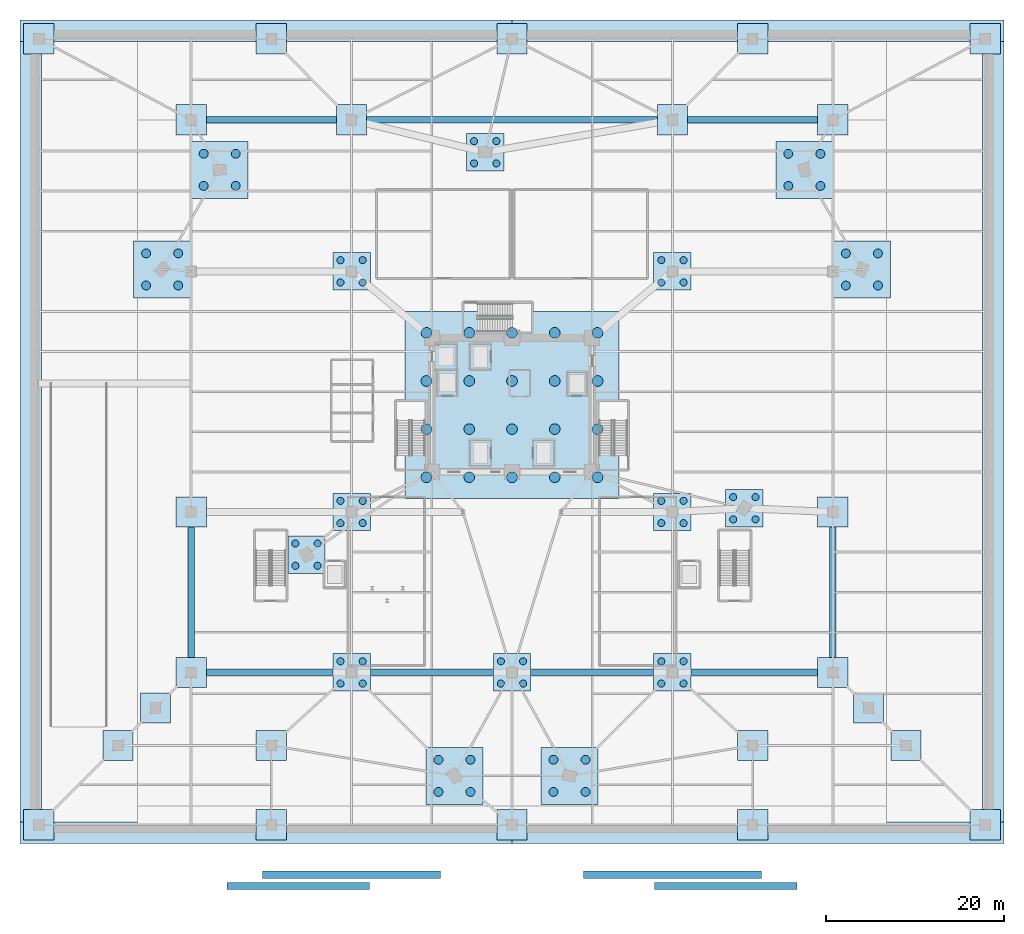
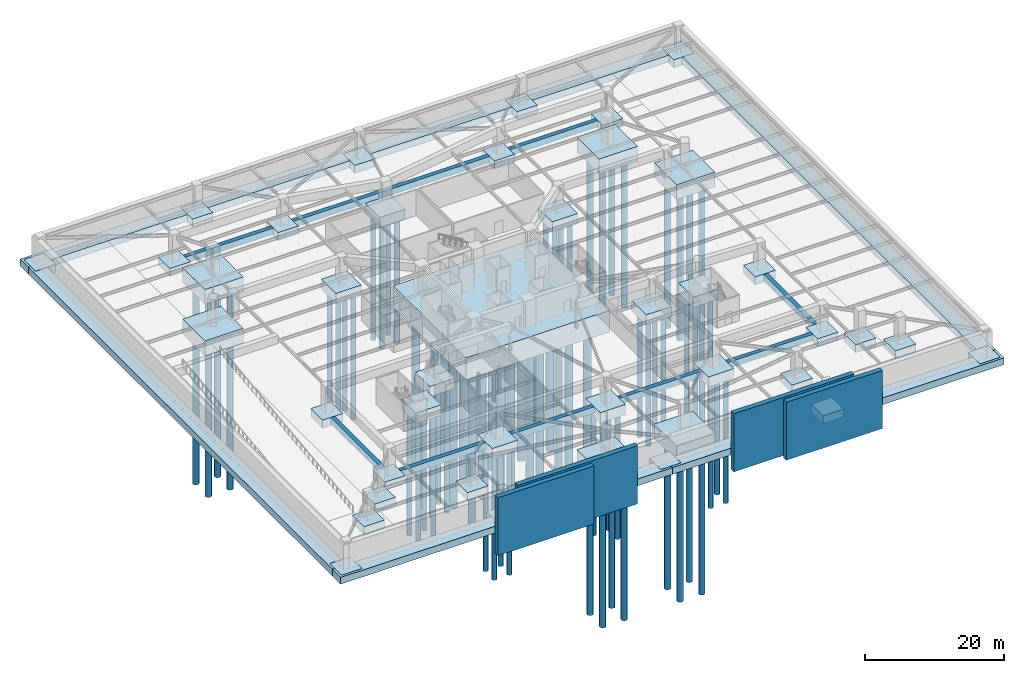
# One storey, part 1 of 19: 84 piles, 60 footings.
"""IFC4 building model written with IfcOpenShell, lengths in metres."""

import ifcopenshell
import ifcopenshell.guid

model = None  # the IFC model being written
_history = None  # IfcOwnerHistory: only IFC2X3 demands one
_inside = {}  # id of a spatial element -> (the spatial element, [elements in it])
_under = {}  # id of a project, library or spatial element -> (it, [spatial elements below it])
_declared = {}  # id of a project -> (the project, [libraries it declares])
_typed = {}  # id of a type object -> (the type object, [elements of that type])
_made_of = {}  # id of a material, layer set ... -> (it, [elements and type objects made of it])


def new_model(schema):
    """Start an empty IFC model of exactly this schema.

    Asked for "IFC4X3", IfcOpenShell would pick the latest addendum, in which some entities
    have other attributes; the version numbers below select the first issue.
    IFC2X3 requires an IfcOwnerHistory on every rooted entity: one is made here for all.
    """
    global model, _history
    if schema == "IFC4X3":
        model = ifcopenshell.file(schema_version=(4, 3, 0, 0))
    else:
        model = ifcopenshell.file(schema=schema)
    _inside.clear()
    _under.clear()
    _declared.clear()
    _typed.clear()
    _made_of.clear()
    _history = None
    if model.schema == "IFC2X3":
        org = make("IfcOrganization", Name="unknown")
        user = make(
            "IfcPersonAndOrganization",
            ThePerson=make("IfcPerson", FamilyName="unknown"),
            TheOrganization=org,
        )
        app = make(
            "IfcApplication",
            ApplicationDeveloper=org,
            Version="unknown",
            ApplicationFullName="unknown",
            ApplicationIdentifier="unknown",
        )
        _history = make(
            "IfcOwnerHistory",
            OwningUser=user,
            OwningApplication=app,
            ChangeAction="ADDED",
            CreationDate=0,
        )
    return model


def make(cls, **values):
    """One entity of the class cls with the attributes given. An attribute that is None is left unset."""
    return model.create_entity(
        cls, **{name: value for name, value in values.items() if value is not None}
    )


def rooted(cls, **values):
    """An entity with a GlobalId (a new one), such as an element, a storey or a relation."""
    return make(cls, GlobalId=ifcopenshell.guid.new(), OwnerHistory=_history, **values)


def si_unit(unit_type, name, prefix=None):
    """IfcSIUnit, for example si_unit("LENGTHUNIT", "METRE", prefix="MILLI")."""
    return make("IfcSIUnit", UnitType=unit_type, Prefix=prefix, Name=name)


def assignment(units):
    """IfcUnitAssignment: the units of a project."""
    return None if units is None else make("IfcUnitAssignment", Units=units)


def point(xyz):
    """IfcCartesianPoint."""
    return None if xyz is None else make("IfcCartesianPoint", Coordinates=xyz)


def direction(xyz):
    """IfcDirection."""
    return None if xyz is None else make("IfcDirection", DirectionRatios=xyz)


def frame(location, z_axis=None, x_axis=None):
    """IfcAxis2Placement3D, a coordinate frame: its origin and axes. An axis left out is left unset."""
    return make(
        "IfcAxis2Placement3D",
        Location=point(location),
        Axis=direction(z_axis),
        RefDirection=direction(x_axis),
    )


def frame_2d(location, x_axis=None):
    """IfcAxis2Placement2D, a coordinate frame in the plane: its origin and x axis."""
    return make(
        "IfcAxis2Placement2D", Location=point(location), RefDirection=direction(x_axis)
    )


def origin():
    """The frame at (0, 0, 0) with its axes left unset."""
    return frame((0.0, 0.0, 0.0))


def origin_2d():
    """The frame at (0, 0) in the plane with its x axis left unset."""
    return frame_2d((0.0, 0.0))


def place(relative_to, where):
    """IfcLocalPlacement: puts the frame where relative to a parent placement (None: the world)."""
    return make(
        "IfcLocalPlacement", PlacementRelTo=relative_to, RelativePlacement=where
    )


def context(
    kind, dimensions, precision=None, world=None, true_north=None, identifier=None
):
    """IfcGeometricRepresentationContext, for example the 3D "Model" context."""
    return make(
        "IfcGeometricRepresentationContext",
        ContextIdentifier=identifier,
        ContextType=kind,
        CoordinateSpaceDimension=dimensions,
        Precision=precision,
        WorldCoordinateSystem=world,
        TrueNorth=true_north,
    )


def subcontext(parent, identifier, kind, view, scale=None):
    """IfcGeometricRepresentationSubContext, for example "Body" below "Model"."""
    return make(
        "IfcGeometricRepresentationSubContext",
        ContextIdentifier=identifier,
        ContextType=kind,
        ParentContext=parent,
        TargetScale=scale,
        TargetView=view,
    )


def project(units=None, contexts=None):
    """IfcProject with its units and contexts."""
    return rooted(
        "IfcProject",
        Name="project",
        RepresentationContexts=contexts,
        UnitsInContext=assignment(units),
    )


def spatial(cls, under=None, at=None, **own):
    """A site, building, storey or space (cls), placed at a placement, below another one or the project."""
    s = rooted(cls, ObjectPlacement=at, **own)
    if under is not None:
        _under.setdefault(under.id(), (under, []))[1].append(s)
    return s


def polyline(points):
    """IfcPolyline through the points."""
    return make("IfcPolyline", Points=[point(p) for p in points])


def profile(cls, at=None, kind="AREA", **sizes):
    """A parametric profile (cls). Its sizes go by their IFC names, for example OverallWidth=200.0."""
    return make(cls, ProfileType=kind, Position=at, **sizes)


def rectangle(**sizes):
    """IfcRectangleProfileDef."""
    return profile("IfcRectangleProfileDef", **sizes)


def circle(**sizes):
    """IfcCircleProfileDef."""
    return profile("IfcCircleProfileDef", **sizes)


def outline(outer, holes=None, kind="AREA"):
    """IfcArbitraryClosedProfileDef: a profile drawn as a closed curve; with holes, ...WithVoids."""
    if holes is None:
        return make("IfcArbitraryClosedProfileDef", ProfileType=kind, OuterCurve=outer)
    return make(
        "IfcArbitraryProfileDefWithVoids",
        ProfileType=kind,
        OuterCurve=outer,
        InnerCurves=holes,
    )


def extrude(swept, where, along, depth):
    """IfcExtrudedAreaSolid: the profile swept, set in the frame where, extruded along a direction by depth."""
    return make(
        "IfcExtrudedAreaSolid",
        SweptArea=swept,
        Position=where,
        ExtrudedDirection=direction(along),
        Depth=depth,
    )


def shape(context_of_items, identifier, shape_type, items):
    """IfcShapeRepresentation: the items that make up one representation, for example the "Body"."""
    return make(
        "IfcShapeRepresentation",
        ContextOfItems=context_of_items,
        RepresentationIdentifier=identifier,
        RepresentationType=shape_type,
        Items=items,
    )


def source(mapping_origin, context_of_items, identifier, shape_type, items):
    """IfcRepresentationMap: a shape defined once, which mapped items show again and again."""
    return make(
        "IfcRepresentationMap",
        MappingOrigin=mapping_origin,
        MappedRepresentation=shape(context_of_items, identifier, shape_type, items),
    )


def transform(
    local_origin,
    x_axis=None,
    y_axis=None,
    z_axis=None,
    scale=None,
    scale2=None,
    scale3=None,
    uniform=True,
):
    """IfcCartesianTransformationOperator3D, or its non-uniform kind. x_axis, y_axis, z_axis: its Axis1, 2, 3."""
    if uniform:
        return make(
            "IfcCartesianTransformationOperator3D",
            Axis1=direction(x_axis),
            Axis2=direction(y_axis),
            LocalOrigin=point(local_origin),
            Scale=scale,
            Axis3=direction(z_axis),
        )
    return make(
        "IfcCartesianTransformationOperator3DnonUniform",
        Axis1=direction(x_axis),
        Axis2=direction(y_axis),
        LocalOrigin=point(local_origin),
        Scale=scale,
        Axis3=direction(z_axis),
        Scale2=scale2,
        Scale3=scale3,
    )


def mapped(mapping_source, mapping_target):
    """IfcMappedItem: shows the shape of a source again, moved by a transform."""
    return make(
        "IfcMappedItem", MappingSource=mapping_source, MappingTarget=mapping_target
    )


def material(Name=None, Category=None):
    """IfcMaterial."""
    return make("IfcMaterial", Name=Name, Category=Category)


def material_profile(
    of_material, cross_section, Name=None, Category=None, Priority=None
):
    """IfcMaterialProfile: a cross section and its material."""
    return make(
        "IfcMaterialProfile",
        Name=Name,
        Material=of_material,
        Profile=cross_section,
        Priority=Priority,
        Category=Category,
    )


def profile_set(profiles, Name=None, composite=None):
    """IfcMaterialProfileSet."""
    return make(
        "IfcMaterialProfileSet",
        Name=Name,
        MaterialProfiles=profiles,
        CompositeProfile=composite,
    )


def made_of(thing, what):
    """Note that an element or type object is made of a material, layer set ...; save() writes the relation."""
    if what is not None:
        _made_of.setdefault(what.id(), (what, []))[1].append(thing)
    return thing


def type_object(cls, material=None, **own):
    """A type object (cls), such as IfcWallType, which elements share."""
    return made_of(rooted(cls, **own), material)


def element(
    cls,
    number,
    at=None,
    inside=None,
    cuts=None,
    type_object=None,
    material=None,
    context=None,
    identifier="Body",
    shape_type=None,
    held_by="IfcProductDefinitionShape",
    body=None,
    shapes=None,
    **own,
):
    """One element of the class cls, such as IfcWall. Its Tag is "e" and its number.

    at: its placement. inside: the storey or other place that contains it. cuts: it is an
    opening in that element (IfcRelVoidsElement). A single representation is given by context,
    identifier, shape_type and body (its items); several are given by shapes. held_by: the class
    of the entity that holds the representations. save() writes the other relations.
    """
    e = rooted(cls, Tag="e%d" % number, ObjectPlacement=at, **own)
    if body is not None:
        shapes = [shape(context, identifier, shape_type, body)]
    if shapes is not None:
        e.Representation = make(held_by, Representations=shapes)
    if inside is not None:
        _inside.setdefault(inside.id(), (inside, []))[1].append(e)
    if cuts is not None:
        rooted(
            "IfcRelVoidsElement", RelatingBuildingElement=cuts, RelatedOpeningElement=e
        )
    if type_object is not None:
        _typed.setdefault(type_object.id(), (type_object, []))[1].append(e)
    return made_of(e, material)


def aggregate(whole, parts):
    """IfcRelAggregates: a whole, such as a stair, and the parts it consists of."""
    return rooted("IfcRelAggregates", RelatingObject=whole, RelatedObjects=parts)


def save(model, path):
    """Write the relations noted so far, then the file.

    IfcRelAggregates (storeys below a building ...), IfcRelContainedInSpatialStructure (elements
    in a storey), IfcRelDefinesByType, IfcRelAssociatesMaterial and IfcRelDeclares: one each for
    every whole, place, type object, material and project.
    """
    for whole, parts in _under.values():
        aggregate(whole, parts)
    for where, things in _inside.values():
        rooted(
            "IfcRelContainedInSpatialStructure",
            RelatedElements=things,
            RelatingStructure=where,
        )
    for kind, things in _typed.values():
        rooted("IfcRelDefinesByType", RelatedObjects=things, RelatingType=kind)
    for what, things in _made_of.values():
        rooted("IfcRelAssociatesMaterial", RelatedObjects=things, RelatingMaterial=what)
    for by, libraries in _declared.values():
        rooted("IfcRelDeclares", RelatingContext=by, RelatedDefinitions=libraries)
    model.write(path)


model = new_model("IFC4")

# Units and contexts
model_context = context("Model", 3, precision=1e-05, world=origin(), true_north=direction((0.0, 1.0)))
body_context = subcontext(model_context, "Body", "Model", "MODEL_VIEW")
ifc_project = project(units=[si_unit("LENGTHUNIT", "METRE"), si_unit("AREAUNIT", "SQUARE_METRE"), si_unit("VOLUMEUNIT", "CUBIC_METRE"), si_unit("PLANEANGLEUNIT", "RADIAN"), si_unit("MASSUNIT", "GRAM", prefix="KILO")], contexts=[model_context])

# Site, building, storey
site_placement = place(None, origin())
site = spatial("IfcSite", under=ifc_project, at=site_placement, CompositionType="ELEMENT")
building_placement = place(site_placement, origin())
building = spatial("IfcBuilding", under=site, at=building_placement, Name="Liaohun Quay Tower", CompositionType="ELEMENT")
storey_placement = place(building_placement, frame((0.0, 0.0, -9.60009765625)))
storey = spatial("IfcBuildingStorey", under=building, at=storey_placement, Name="B2", CompositionType="ELEMENT", Elevation=-9.60009765625)

# Footings
ifc_material_1 = material(Name="Concrete C45", Category="concrete")
footing_type_1 = type_object("IfcFootingType", Name="FTG-GRD-BEAM", PredefinedType="FOOTING_BEAM", material=ifc_material_1)
footing_1_placement = place(storey_placement, frame((0.0, 0.0, -1.099853515625)))
element("IfcFooting", 1, at=footing_1_placement, inside=storey, type_object=footing_type_1, Name="Foundation Ground Tie Beam FB-01", PredefinedType="FOOTING_BEAM", context=body_context, shape_type="SweptSolid", body=[
    extrude(outline(polyline([(25.699951171875, 23.64990234375), (39.89990234375, 23.64990234375), (39.89990234375, 24.35009765625), (25.699951171875, 24.35009765625), (25.699951171875, 23.64990234375)])), origin(), (0.0, 0.0, 1.0), 1.099853515625),
])
footing_2_placement = place(storey_placement, frame((0.0, 0.0, -1.099853515625)))
element("IfcFooting", 2, at=footing_2_placement, inside=storey, type_object=footing_type_1, Name="Foundation Ground Tie Beam FB-02", PredefinedType="FOOTING_BEAM", context=body_context, shape_type="SweptSolid", body=[
    extrude(outline(polyline([(44.10009765625, 23.64990234375), (57.89990234375, 23.64990234375), (57.89990234375, 24.35009765625), (44.10009765625, 24.35009765625), (44.10009765625, 23.64990234375)])), origin(), (0.0, 0.0, 1.0), 1.099853515625),
])
footing_3_placement = place(storey_placement, frame((0.0, 0.0, -1.099853515625)))
element("IfcFooting", 3, at=footing_3_placement, inside=storey, type_object=footing_type_1, Name="Foundation Ground Tie Beam FB-03", PredefinedType="FOOTING_BEAM", context=body_context, shape_type="SweptSolid", body=[
    extrude(outline(polyline([(62.10009765625, 23.64990234375), (75.89990234375, 23.64990234375), (75.89990234375, 24.35009765625), (62.10009765625, 24.35009765625), (62.10009765625, 23.64990234375)])), origin(), (0.0, 0.0, 1.0), 1.099853515625),
])
footing_4_placement = place(storey_placement, frame((0.0, 0.0, -1.099853515625)))
element("IfcFooting", 4, at=footing_4_placement, inside=storey, type_object=footing_type_1, Name="Foundation Ground Tie Beam FB-04", PredefinedType="FOOTING_BEAM", context=body_context, shape_type="SweptSolid", body=[
    extrude(outline(polyline([(80.10009765625, 23.64990234375), (94.300048828125, 23.64990234375), (94.300048828125, 24.35009765625), (80.10009765625, 24.35009765625), (80.10009765625, 23.64990234375)])), origin(), (0.0, 0.0, 1.0), 1.099853515625),
])
footing_5_placement = place(storey_placement, frame((0.0, 0.0, -1.099853515625)))
element("IfcFooting", 5, at=footing_5_placement, inside=storey, type_object=footing_type_1, Name="Foundation Ground Tie Beam FB-05", PredefinedType="FOOTING_BEAM", context=body_context, shape_type="SweptSolid", body=[
    extrude(outline(polyline([(25.699951171875, 85.64990234375), (40.300048828125, 85.64990234375), (40.300048828125, 86.35009765625), (25.699951171875, 86.35009765625), (25.699951171875, 85.64990234375)])), origin(), (0.0, 0.0, 1.0), 1.099853515625),
])
footing_6_placement = place(storey_placement, frame((0.0, 0.0, -1.099853515625)))
element("IfcFooting", 6, at=footing_6_placement, inside=storey, type_object=footing_type_1, Name="Foundation Ground Tie Beam FB-06", PredefinedType="FOOTING_BEAM", context=body_context, shape_type="SweptSolid", body=[
    extrude(outline(polyline([(43.699951171875, 85.64990234375), (76.300048828125, 85.64990234375), (76.300048828125, 86.35009765625), (43.699951171875, 86.35009765625), (43.699951171875, 85.64990234375)])), origin(), (0.0, 0.0, 1.0), 1.099853515625),
])
footing_7_placement = place(storey_placement, frame((0.0, 0.0, -1.099853515625)))
element("IfcFooting", 7, at=footing_7_placement, inside=storey, type_object=footing_type_1, Name="Foundation Ground Tie Beam FB-07", PredefinedType="FOOTING_BEAM", context=body_context, shape_type="SweptSolid", body=[
    extrude(outline(polyline([(79.699951171875, 85.64990234375), (94.300048828125, 85.64990234375), (94.300048828125, 86.35009765625), (79.699951171875, 86.35009765625), (79.699951171875, 85.64990234375)])), origin(), (0.0, 0.0, 1.0), 1.099853515625),
])
footing_8_placement = place(storey_placement, frame((0.0, 0.0, -1.099853515625)))
element("IfcFooting", 8, at=footing_8_placement, inside=storey, type_object=footing_type_1, Name="Foundation Ground Tie Beam FB-08", PredefinedType="FOOTING_BEAM", context=body_context, shape_type="SweptSolid", body=[
    extrude(outline(polyline([(24.35009765625, 25.699951171875), (24.35009765625, 40.300048828125), (23.64990234375, 40.300048828125), (23.64990234375, 25.699951171875), (24.35009765625, 25.699951171875)])), origin(), (0.0, 0.0, 1.0), 1.099853515625),
])
footing_9_placement = place(storey_placement, frame((0.0, 0.0, -1.099853515625)))
element("IfcFooting", 9, at=footing_9_placement, inside=storey, type_object=footing_type_1, Name="Foundation Ground Tie Beam FB-11", PredefinedType="FOOTING_BEAM", context=body_context, shape_type="SweptSolid", body=[
    extrude(outline(polyline([(96.35009765625, 25.699951171875), (96.35009765625, 40.300048828125), (95.64990234375, 40.300048828125), (95.64990234375, 25.699951171875), (96.35009765625, 25.699951171875)])), origin(), (0.0, 0.0, 1.0), 1.099853515625),
])
footing_type_2 = type_object("IfcFootingType", Name="FTG-RET-STRIP", PredefinedType="STRIP_FOOTING", material=ifc_material_1)
footing_10_placement = place(storey_placement, frame((0.0, 0.0, -1.199951171875)))
element("IfcFooting", 10, at=footing_10_placement, inside=storey, type_object=footing_type_2, Name="Retaining Wall Strip Footing FS-S1", PredefinedType="STRIP_FOOTING", context=body_context, shape_type="SweptSolid", body=[
    extrude(outline(polyline([(4.800048828125, 4.800048828125), (60.0, 4.800048828125), (60.0, 7.199951171875), (4.800048828125, 7.199951171875), (4.800048828125, 4.800048828125)])), origin(), (0.0, 0.0, 1.0), 1.199951171875),
])
footing_11_placement = place(storey_placement, frame((0.0, 0.0, -1.199951171875)))
element("IfcFooting", 11, at=footing_11_placement, inside=storey, type_object=footing_type_2, Name="Retaining Wall Strip Footing FS-S2", PredefinedType="STRIP_FOOTING", context=body_context, shape_type="SweptSolid", body=[
    extrude(outline(polyline([(60.0, 4.800048828125), (115.199951171875, 4.800048828125), (115.199951171875, 7.199951171875), (60.0, 7.199951171875), (60.0, 4.800048828125)])), origin(), (0.0, 0.0, 1.0), 1.199951171875),
])
footing_12_placement = place(storey_placement, frame((0.0, 0.0, -1.199951171875)))
element("IfcFooting", 12, at=footing_12_placement, inside=storey, type_object=footing_type_2, Name="Retaining Wall Strip Footing FS-N1", PredefinedType="STRIP_FOOTING", context=body_context, shape_type="SweptSolid", body=[
    extrude(outline(polyline([(4.800048828125, 94.800048828125), (60.0, 94.800048828125), (60.0, 97.199951171875), (4.800048828125, 97.199951171875), (4.800048828125, 94.800048828125)])), origin(), (0.0, 0.0, 1.0), 1.199951171875),
])
footing_13_placement = place(storey_placement, frame((0.0, 0.0, -1.199951171875)))
element("IfcFooting", 13, at=footing_13_placement, inside=storey, type_object=footing_type_2, Name="Retaining Wall Strip Footing FS-N2", PredefinedType="STRIP_FOOTING", context=body_context, shape_type="SweptSolid", body=[
    extrude(outline(polyline([(60.0, 94.800048828125), (115.199951171875, 94.800048828125), (115.199951171875, 97.199951171875), (60.0, 97.199951171875), (60.0, 94.800048828125)])), origin(), (0.0, 0.0, 1.0), 1.199951171875),
])
footing_14_placement = place(storey_placement, frame((0.0, 0.0, -1.199951171875)))
element("IfcFooting", 14, at=footing_14_placement, inside=storey, type_object=footing_type_2, Name="Retaining Wall Strip Footing FS-W1", PredefinedType="STRIP_FOOTING", context=body_context, shape_type="SweptSolid", body=[
    extrude(outline(polyline([(4.800048828125, 7.199951171875), (7.199951171875, 7.199951171875), (7.199951171875, 94.800048828125), (4.800048828125, 94.800048828125), (4.800048828125, 7.199951171875)])), origin(), (0.0, 0.0, 1.0), 1.199951171875),
])
footing_15_placement = place(storey_placement, frame((0.0, 0.0, -1.199951171875)))
element("IfcFooting", 15, at=footing_15_placement, inside=storey, type_object=footing_type_2, Name="Retaining Wall Strip Footing FS-E1", PredefinedType="STRIP_FOOTING", context=body_context, shape_type="SweptSolid", body=[
    extrude(outline(polyline([(112.800048828125, 7.199951171875), (115.199951171875, 7.199951171875), (115.199951171875, 94.800048828125), (112.800048828125, 94.800048828125), (112.800048828125, 7.199951171875)])), origin(), (0.0, 0.0, 1.0), 1.199951171875),
])
footing_16_placement = place(storey_placement, frame((0.0, 0.0, -1.199951171875)))
element("IfcFooting", 16, at=footing_16_placement, inside=storey, type_object=footing_type_2, Name="Waterfront Quay Apron Foundation Strip 1", PredefinedType="STRIP_FOOTING", context=body_context, shape_type="SweptSolid", body=[
    extrude(outline(polyline([(28.0, -0.35009765625), (44.0, -0.35009765625), (44.0, 0.449951171875), (28.0, 0.449951171875), (28.0, -0.35009765625)])), origin(), (0.0, 0.0, 1.0), 10.219970703125),
])
footing_17_placement = place(storey_placement, frame((0.0, 0.0, -1.199951171875)))
element("IfcFooting", 17, at=footing_17_placement, inside=storey, type_object=footing_type_2, Name="Waterfront Quay Apron Foundation Strip 2", PredefinedType="STRIP_FOOTING", context=body_context, shape_type="SweptSolid", body=[
    extrude(outline(polyline([(76.0, -0.35009765625), (92.0, -0.35009765625), (92.0, 0.449951171875), (76.0, 0.449951171875), (76.0, -0.35009765625)])), origin(), (0.0, 0.0, 1.0), 10.219970703125),
])
footing_18_placement = place(storey_placement, frame((0.0, 0.0, -1.199951171875)))
element("IfcFooting", 18, at=footing_18_placement, inside=storey, type_object=footing_type_2, Name="Waterfront Quay Apron Foundation Strip 3", PredefinedType="STRIP_FOOTING", context=body_context, shape_type="SweptSolid", body=[
    extrude(outline(polyline([(32.0, 0.89990234375), (52.0, 0.89990234375), (52.0, 1.699951171875), (32.0, 1.699951171875), (32.0, 0.89990234375)])), origin(), (0.0, 0.0, 1.0), 10.219970703125),
])
footing_19_placement = place(storey_placement, frame((0.0, 0.0, -1.199951171875)))
element("IfcFooting", 19, at=footing_19_placement, inside=storey, type_object=footing_type_2, Name="Waterfront Quay Apron Foundation Strip 4", PredefinedType="STRIP_FOOTING", context=body_context, shape_type="SweptSolid", body=[
    extrude(outline(polyline([(68.0, 0.89990234375), (88.0, 0.89990234375), (88.0, 1.699951171875), (68.0, 1.699951171875), (68.0, 0.89990234375)])), origin(), (0.0, 0.0, 1.0), 10.219970703125),
])
ifc_material_2 = material(Name="Concrete C50", Category="concrete")
footing_type_3 = type_object("IfcFootingType", Name="FTG-CORE-MAT", PredefinedType="PILE_CAP", material=ifc_material_2)
shared_shape_1 = source(origin(), body_context, "Body", "SweptSolid", [
    extrude(rectangle(XDim=24.0, YDim=21.0, at=origin_2d()), origin(), (0.0, 0.0, 1.0), 3.800048828125),
])
footing_20_placement = place(storey_placement, frame((60.0, 54.0, -3.7998046875), z_axis=(0.0, 0.0, 1.0), x_axis=(1.0, 0.0, 0.0)))
element("IfcFooting", 20, at=footing_20_placement, inside=storey, type_object=footing_type_3, Name="Central Core Piled Mat Cap FC-CORE", PredefinedType="PILE_CAP", context=body_context, shape_type="MappedRepresentation", body=[
    mapped(shared_shape_1, transform((0.0, 0.0, 0.0), x_axis=(1.0, 0.0, 0.0), y_axis=(0.0, 1.0, 0.0), z_axis=(0.0, 0.0, 1.0), scale=1.0)),
])

# Piles
ifc_material_profile_1 = material_profile(ifc_material_2, circle(Radius=0.60009765625, at=origin_2d()), Name="PILE-D1200")
ifc_profile_set_1 = profile_set([ifc_material_profile_1], Name="Concrete C50")
pile_type_1 = type_object("IfcPileType", Name="PIL-D1200", PredefinedType="BORED", material=ifc_profile_set_1)
shared_shape_2 = source(origin(), body_context, "Body", "SweptSolid", [
    extrude(circle(Radius=0.60009765625, at=origin_2d()), origin(), (0.0, 0.0, 1.0), 28.0),
])
for number, where, z_axis, x_axis, name in (
    (21, (50.39990234375, 45.89990234375, -3.699951171875), (0.0, 0.0, -1.0), (1.0, 0.0, 0.0), "Core Bored Pile PL-1200-01"),
    (22, (50.39990234375, 51.300048828125, -3.699951171875), (0.0, 0.0, -1.0), (1.0, 0.0, 0.0), "Core Bored Pile PL-1200-02"),
    (23, (50.39990234375, 56.699951171875, -3.699951171875), (0.0, 0.0, -1.0), (1.0, 0.0, 0.0), "Core Bored Pile PL-1200-03"),
    (24, (50.39990234375, 62.10009765625, -3.699951171875), (0.0, 0.0, -1.0), (1.0, 0.0, 0.0), "Core Bored Pile PL-1200-04"),
    (25, (55.199951171875, 45.89990234375, -3.699951171875), (0.0, 0.0, -1.0), (1.0, 0.0, 0.0), "Core Bored Pile PL-1200-05"),
    (26, (55.199951171875, 51.300048828125, -3.699951171875), (0.0, 0.0, -1.0), (1.0, 0.0, 0.0), "Core Bored Pile PL-1200-06"),
    (27, (55.199951171875, 56.699951171875, -3.699951171875), (0.0, 0.0, -1.0), (1.0, 0.0, 0.0), "Core Bored Pile PL-1200-07"),
    (28, (55.199951171875, 62.10009765625, -3.699951171875), (0.0, 0.0, -1.0), (1.0, 0.0, 0.0), "Core Bored Pile PL-1200-08"),
    (29, (60.0, 45.89990234375, -3.699951171875), (0.0, 0.0, -1.0), (1.0, 0.0, 0.0), "Core Bored Pile PL-1200-09"),
    (30, (60.0, 51.300048828125, -3.699951171875), (0.0, 0.0, -1.0), (1.0, 0.0, 0.0), "Core Bored Pile PL-1200-10"),
    (31, (60.0, 56.699951171875, -3.699951171875), (0.0, 0.0, -1.0), (1.0, 0.0, 0.0), "Core Bored Pile PL-1200-11"),
    (32, (60.0, 62.10009765625, -3.699951171875), (0.0, 0.0, -1.0), (1.0, 0.0, 0.0), "Core Bored Pile PL-1200-12"),
    (33, (64.800048828125, 45.89990234375, -3.699951171875), (0.0, 0.0, -1.0), (1.0, 0.0, 0.0), "Core Bored Pile PL-1200-13"),
    (34, (64.800048828125, 51.300048828125, -3.699951171875), (0.0, 0.0, -1.0), (1.0, 0.0, 0.0), "Core Bored Pile PL-1200-14"),
    (35, (64.800048828125, 56.699951171875, -3.699951171875), (0.0, 0.0, -1.0), (1.0, 0.0, 0.0), "Core Bored Pile PL-1200-15"),
    (36, (64.800048828125, 62.10009765625, -3.699951171875), (0.0, 0.0, -1.0), (1.0, 0.0, 0.0), "Core Bored Pile PL-1200-16"),
    (37, (69.60009765625, 45.89990234375, -3.699951171875), (0.0, 0.0, -1.0), (1.0, 0.0, 0.0), "Core Bored Pile PL-1200-17"),
    (38, (69.60009765625, 51.300048828125, -3.699951171875), (0.0, 0.0, -1.0), (1.0, 0.0, 0.0), "Core Bored Pile PL-1200-18"),
    (39, (69.60009765625, 56.699951171875, -3.699951171875), (0.0, 0.0, -1.0), (1.0, 0.0, 0.0), "Core Bored Pile PL-1200-19"),
    (40, (69.60009765625, 62.10009765625, -3.699951171875), (0.0, 0.0, -1.0), (1.0, 0.0, 0.0), "Core Bored Pile PL-1200-20"),
):
    element("IfcPile", number, at=place(storey_placement, frame(where, z_axis=z_axis, x_axis=x_axis)), inside=storey, type_object=pile_type_1, Name=name, PredefinedType="BORED", context=body_context, shape_type="MappedRepresentation", body=[
        mapped(shared_shape_2, transform((0.0, 0.0, 0.0), x_axis=(1.0, 0.0, 0.0), y_axis=(0.0, 1.0, 0.0), z_axis=(0.0, 0.0, 1.0), scale=1.0)),
    ])

# Footings
footing_type_4 = type_object("IfcFootingType", Name="FTG-TOWER-RING", PredefinedType="PILE_CAP", material=ifc_material_2)
shared_shape_3 = source(origin(), body_context, "Body", "SweptSolid", [
    extrude(rectangle(XDim=6.39990234375, YDim=6.39990234375, at=origin_2d()), origin(), (0.0, 0.0, 1.0), 2.60009765625),
])
for number, where, z_axis, x_axis, name in (
    (41, (53.5458984375, 12.39697265625, -2.599853515625), (0.0, 0.0, 1.0), (1.0, 0.0, 0.0), "Tower Mega-Pier Pile Cap FC-RING-01"),
    (42, (20.748046875, 69.217041015625, -2.599853515625), (0.0, 0.0, 1.0), (1.0, 0.0, 0.0), "Tower Mega-Pier Pile Cap FC-RING-02"),
    (43, (27.198974609375, 80.39111328125, -2.599853515625), (0.0, 0.0, 1.0), (1.0, 0.0, 0.0), "Tower Mega-Pier Pile Cap FC-RING-03"),
    (44, (92.802978515625, 80.384033203125, -2.599853515625), (0.0, 0.0, 1.0), (1.0, 0.0, 0.0), "Tower Mega-Pier Pile Cap FC-RING-04"),
    (45, (99.256103515625, 69.2119140625, -2.599853515625), (0.0, 0.0, 1.0), (1.0, 0.0, 0.0), "Tower Mega-Pier Pile Cap FC-RING-05"),
    (46, (66.447998046875, 12.39892578125, -2.599853515625), (0.0, 0.0, 1.0), (1.0, 0.0, 0.0), "Tower Mega-Pier Pile Cap FC-RING-06"),
):
    element("IfcFooting", number, at=place(storey_placement, frame(where, z_axis=z_axis, x_axis=x_axis)), inside=storey, type_object=footing_type_4, Name=name, PredefinedType="PILE_CAP", context=body_context, shape_type="MappedRepresentation", body=[
        mapped(shared_shape_3, transform((0.0, 0.0, 0.0), x_axis=(1.0, 0.0, 0.0), y_axis=(0.0, 1.0, 0.0), z_axis=(0.0, 0.0, 1.0), scale=1.0)),
    ])

# Piles
ifc_material_profile_2 = material_profile(ifc_material_1, circle(Radius=0.5, at=origin_2d()), Name="PILE-D1000")
ifc_profile_set_2 = profile_set([ifc_material_profile_2], Name="Concrete C45")
pile_type_2 = type_object("IfcPileType", Name="PIL-D1000", PredefinedType="BORED", material=ifc_profile_set_2)
shared_shape_4 = source(origin(), body_context, "Body", "SweptSolid", [
    extrude(circle(Radius=0.5, at=origin_2d()), origin(), (0.0, 0.0, 1.0), 26.0),
])
for number, where, z_axis, x_axis, name in (
    (47, (51.74609375, 10.596923828125, -2.5), (0.0, 0.0, -1.0), (1.0, 0.0, 0.0), "Tower Pier Bored Pile PL-1000-01"),
    (48, (51.74609375, 14.197021484375, -2.5), (0.0, 0.0, -1.0), (1.0, 0.0, 0.0), "Tower Pier Bored Pile PL-1000-02"),
    (49, (55.345947265625, 10.596923828125, -2.5), (0.0, 0.0, -1.0), (1.0, 0.0, 0.0), "Tower Pier Bored Pile PL-1000-03"),
    (50, (55.345947265625, 14.197021484375, -2.5), (0.0, 0.0, -1.0), (1.0, 0.0, 0.0), "Tower Pier Bored Pile PL-1000-04"),
    (51, (18.947998046875, 67.4169921875, -2.5), (0.0, 0.0, -1.0), (1.0, 0.0, 0.0), "Tower Pier Bored Pile PL-1000-05"),
    (52, (18.947998046875, 71.01708984375, -2.5), (0.0, 0.0, -1.0), (1.0, 0.0, 0.0), "Tower Pier Bored Pile PL-1000-06"),
    (53, (22.548095703125, 67.4169921875, -2.5), (0.0, 0.0, -1.0), (1.0, 0.0, 0.0), "Tower Pier Bored Pile PL-1000-07"),
    (54, (22.548095703125, 71.01708984375, -2.5), (0.0, 0.0, -1.0), (1.0, 0.0, 0.0), "Tower Pier Bored Pile PL-1000-08"),
    (55, (25.39892578125, 78.591064453125, -2.5), (0.0, 0.0, -1.0), (1.0, 0.0, 0.0), "Tower Pier Bored Pile PL-1000-09"),
    (56, (25.39892578125, 82.19091796875, -2.5), (0.0, 0.0, -1.0), (1.0, 0.0, 0.0), "Tower Pier Bored Pile PL-1000-10"),
    (57, (28.9990234375, 78.591064453125, -2.5), (0.0, 0.0, -1.0), (1.0, 0.0, 0.0), "Tower Pier Bored Pile PL-1000-11"),
    (58, (28.9990234375, 82.19091796875, -2.5), (0.0, 0.0, -1.0), (1.0, 0.0, 0.0), "Tower Pier Bored Pile PL-1000-12"),
    (59, (91.0029296875, 78.583984375, -2.5), (0.0, 0.0, -1.0), (1.0, 0.0, 0.0), "Tower Pier Bored Pile PL-1000-13"),
    (60, (91.0029296875, 82.18408203125, -2.5), (0.0, 0.0, -1.0), (1.0, 0.0, 0.0), "Tower Pier Bored Pile PL-1000-14"),
    (61, (94.60302734375, 78.583984375, -2.5), (0.0, 0.0, -1.0), (1.0, 0.0, 0.0), "Tower Pier Bored Pile PL-1000-15"),
    (62, (94.60302734375, 82.18408203125, -2.5), (0.0, 0.0, -1.0), (1.0, 0.0, 0.0), "Tower Pier Bored Pile PL-1000-16"),
    (63, (97.4560546875, 67.412109375, -2.5), (0.0, 0.0, -1.0), (1.0, 0.0, 0.0), "Tower Pier Bored Pile PL-1000-17"),
    (64, (97.4560546875, 71.011962890625, -2.5), (0.0, 0.0, -1.0), (1.0, 0.0, 0.0), "Tower Pier Bored Pile PL-1000-18"),
    (65, (101.055908203125, 67.412109375, -2.5), (0.0, 0.0, -1.0), (1.0, 0.0, 0.0), "Tower Pier Bored Pile PL-1000-19"),
    (66, (101.055908203125, 71.011962890625, -2.5), (0.0, 0.0, -1.0), (1.0, 0.0, 0.0), "Tower Pier Bored Pile PL-1000-20"),
    (67, (64.64794921875, 10.59912109375, -2.5), (0.0, 0.0, -1.0), (1.0, 0.0, 0.0), "Tower Pier Bored Pile PL-1000-21"),
    (68, (64.64794921875, 14.198974609375, -2.5), (0.0, 0.0, -1.0), (1.0, 0.0, 0.0), "Tower Pier Bored Pile PL-1000-22"),
    (69, (68.248046875, 10.59912109375, -2.5), (0.0, 0.0, -1.0), (1.0, 0.0, 0.0), "Tower Pier Bored Pile PL-1000-23"),
    (70, (68.248046875, 14.198974609375, -2.5), (0.0, 0.0, -1.0), (1.0, 0.0, 0.0), "Tower Pier Bored Pile PL-1000-24"),
):
    element("IfcPile", number, at=place(storey_placement, frame(where, z_axis=z_axis, x_axis=x_axis)), inside=storey, type_object=pile_type_2, Name=name, PredefinedType="BORED", context=body_context, shape_type="MappedRepresentation", body=[
        mapped(shared_shape_4, transform((0.0, 0.0, 0.0), x_axis=(1.0, 0.0, 0.0), y_axis=(0.0, 1.0, 0.0), z_axis=(0.0, 0.0, 1.0), scale=1.0)),
    ])

# Footings
footing_type_5 = type_object("IfcFootingType", Name="FTG-POD-CAP4", PredefinedType="PILE_CAP", material=ifc_material_1)
shared_shape_5 = source(origin(), body_context, "Body", "SweptSolid", [
    extrude(rectangle(XDim=4.199951171875, YDim=4.199951171875, at=origin_2d()), origin(), (0.0, 0.0, 1.0), 1.800048828125),
])
for number, where, z_axis, x_axis, name in (
    (71, (36.94091796875, 37.217041015625, -1.7998046875), (0.0, 0.0, 1.0), (1.0, 0.0, 0.0), "Crease Pier Pile Cap FC-P4-PC02"),
    (72, (56.9951171875, 82.360107421875, -1.7998046875), (0.0, 0.0, 1.0), (1.0, 0.0, 0.0), "Crease Pier Pile Cap FC-P4-PC06"),
    (73, (86.06396484375, 42.423095703125, -1.7998046875), (0.0, 0.0, 1.0), (1.0, 0.0, 0.0), "Crease Pier Pile Cap FC-P4-PC10"),
    (74, (42.0, 24.0, -1.7998046875), (0.0, 0.0, 1.0), (1.0, 0.0, 0.0), "Podium Pile Cap FC-P4-PG02"),
    (75, (60.0, 24.0, -1.7998046875), (0.0, 0.0, 1.0), (1.0, 0.0, 0.0), "Podium Pile Cap FC-P4-PG03"),
    (76, (78.0, 24.0, -1.7998046875), (0.0, 0.0, 1.0), (1.0, 0.0, 0.0), "Podium Pile Cap FC-P4-PG04"),
    (77, (42.0, 42.0, -1.7998046875), (0.0, 0.0, 1.0), (1.0, 0.0, 0.0), "Podium Pile Cap FC-P4-PG07"),
    (78, (78.0, 42.0, -1.7998046875), (0.0, 0.0, 1.0), (1.0, 0.0, 0.0), "Podium Pile Cap FC-P4-PG08"),
    (79, (42.0, 69.0, -1.7998046875), (0.0, 0.0, 1.0), (1.0, 0.0, 0.0), "Podium Pile Cap FC-P4-PG11"),
    (80, (78.0, 69.0, -1.7998046875), (0.0, 0.0, 1.0), (1.0, 0.0, 0.0), "Podium Pile Cap FC-P4-PG12"),
):
    element("IfcFooting", number, at=place(storey_placement, frame(where, z_axis=z_axis, x_axis=x_axis)), inside=storey, type_object=footing_type_5, Name=name, PredefinedType="PILE_CAP", context=body_context, shape_type="MappedRepresentation", body=[
        mapped(shared_shape_5, transform((0.0, 0.0, 0.0), x_axis=(1.0, 0.0, 0.0), y_axis=(0.0, 1.0, 0.0), z_axis=(0.0, 0.0, 1.0), scale=1.0)),
    ])

# Piles
ifc_material_profile_3 = material_profile(ifc_material_1, circle(Radius=0.39990234375, at=origin_2d()), Name="PILE-D800")
ifc_profile_set_3 = profile_set([ifc_material_profile_3], Name="Concrete C45")
pile_type_3 = type_object("IfcPileType", Name="PIL-D800", PredefinedType="BORED", material=ifc_profile_set_3)
shared_shape_6 = source(origin(), body_context, "Body", "SweptSolid", [
    extrude(circle(Radius=0.39990234375, at=origin_2d()), origin(), (0.0, 0.0, 1.0), 22.0),
])
for number, where, z_axis, x_axis, name in (
    (81, (35.69091796875, 35.967041015625, -1.699951171875), (0.0, 0.0, -1.0), (1.0, 0.0, 0.0), "Crease Pier Bored Pile PL-800-25"),
    (82, (35.69091796875, 38.467041015625, -1.699951171875), (0.0, 0.0, -1.0), (1.0, 0.0, 0.0), "Crease Pier Bored Pile PL-800-26"),
    (83, (38.19091796875, 35.967041015625, -1.699951171875), (0.0, 0.0, -1.0), (1.0, 0.0, 0.0), "Crease Pier Bored Pile PL-800-27"),
    (84, (38.19091796875, 38.467041015625, -1.699951171875), (0.0, 0.0, -1.0), (1.0, 0.0, 0.0), "Crease Pier Bored Pile PL-800-28"),
    (85, (55.7451171875, 81.110107421875, -1.699951171875), (0.0, 0.0, -1.0), (1.0, 0.0, 0.0), "Crease Pier Bored Pile PL-800-29"),
    (86, (55.7451171875, 83.610107421875, -1.699951171875), (0.0, 0.0, -1.0), (1.0, 0.0, 0.0), "Crease Pier Bored Pile PL-800-30"),
    (87, (58.2451171875, 81.110107421875, -1.699951171875), (0.0, 0.0, -1.0), (1.0, 0.0, 0.0), "Crease Pier Bored Pile PL-800-31"),
    (88, (58.2451171875, 83.610107421875, -1.699951171875), (0.0, 0.0, -1.0), (1.0, 0.0, 0.0), "Crease Pier Bored Pile PL-800-32"),
    (89, (84.81396484375, 41.173095703125, -1.699951171875), (0.0, 0.0, -1.0), (1.0, 0.0, 0.0), "Crease Pier Bored Pile PL-800-33"),
    (90, (84.81396484375, 43.673095703125, -1.699951171875), (0.0, 0.0, -1.0), (1.0, 0.0, 0.0), "Crease Pier Bored Pile PL-800-34"),
    (91, (87.31396484375, 41.173095703125, -1.699951171875), (0.0, 0.0, -1.0), (1.0, 0.0, 0.0), "Crease Pier Bored Pile PL-800-35"),
    (92, (87.31396484375, 43.673095703125, -1.699951171875), (0.0, 0.0, -1.0), (1.0, 0.0, 0.0), "Crease Pier Bored Pile PL-800-36"),
    (93, (40.75, 22.75, -1.699951171875), (0.0, 0.0, -1.0), (1.0, 0.0, 0.0), "Podium Bored Pile PL-800-01"),
    (94, (40.75, 25.25, -1.699951171875), (0.0, 0.0, -1.0), (1.0, 0.0, 0.0), "Podium Bored Pile PL-800-02"),
    (95, (43.25, 22.75, -1.699951171875), (0.0, 0.0, -1.0), (1.0, 0.0, 0.0), "Podium Bored Pile PL-800-03"),
    (96, (43.25, 25.25, -1.699951171875), (0.0, 0.0, -1.0), (1.0, 0.0, 0.0), "Podium Bored Pile PL-800-04"),
    (97, (58.75, 22.75, -1.699951171875), (0.0, 0.0, -1.0), (1.0, 0.0, 0.0), "Podium Bored Pile PL-800-05"),
    (98, (58.75, 25.25, -1.699951171875), (0.0, 0.0, -1.0), (1.0, 0.0, 0.0), "Podium Bored Pile PL-800-06"),
    (99, (61.25, 22.75, -1.699951171875), (0.0, 0.0, -1.0), (1.0, 0.0, 0.0), "Podium Bored Pile PL-800-07"),
    (100, (61.25, 25.25, -1.699951171875), (0.0, 0.0, -1.0), (1.0, 0.0, 0.0), "Podium Bored Pile PL-800-08"),
    (101, (76.75, 22.75, -1.699951171875), (0.0, 0.0, -1.0), (1.0, 0.0, 0.0), "Podium Bored Pile PL-800-09"),
    (102, (76.75, 25.25, -1.699951171875), (0.0, 0.0, -1.0), (1.0, 0.0, 0.0), "Podium Bored Pile PL-800-10"),
    (103, (79.25, 22.75, -1.699951171875), (0.0, 0.0, -1.0), (1.0, 0.0, 0.0), "Podium Bored Pile PL-800-11"),
    (104, (79.25, 25.25, -1.699951171875), (0.0, 0.0, -1.0), (1.0, 0.0, 0.0), "Podium Bored Pile PL-800-12"),
    (105, (40.75, 40.75, -1.699951171875), (0.0, 0.0, -1.0), (1.0, 0.0, 0.0), "Podium Bored Pile PL-800-13"),
    (106, (40.75, 43.25, -1.699951171875), (0.0, 0.0, -1.0), (1.0, 0.0, 0.0), "Podium Bored Pile PL-800-14"),
    (107, (43.25, 40.75, -1.699951171875), (0.0, 0.0, -1.0), (1.0, 0.0, 0.0), "Podium Bored Pile PL-800-15"),
    (108, (43.25, 43.25, -1.699951171875), (0.0, 0.0, -1.0), (1.0, 0.0, 0.0), "Podium Bored Pile PL-800-16"),
    (109, (76.75, 40.75, -1.699951171875), (0.0, 0.0, -1.0), (1.0, 0.0, 0.0), "Podium Bored Pile PL-800-17"),
    (110, (76.75, 43.25, -1.699951171875), (0.0, 0.0, -1.0), (1.0, 0.0, 0.0), "Podium Bored Pile PL-800-18"),
    (111, (79.25, 40.75, -1.699951171875), (0.0, 0.0, -1.0), (1.0, 0.0, 0.0), "Podium Bored Pile PL-800-19"),
    (112, (79.25, 43.25, -1.699951171875), (0.0, 0.0, -1.0), (1.0, 0.0, 0.0), "Podium Bored Pile PL-800-20"),
    (113, (40.75, 67.75, -1.699951171875), (0.0, 0.0, -1.0), (1.0, 0.0, 0.0), "Podium Bored Pile PL-800-21"),
    (114, (40.75, 70.25, -1.699951171875), (0.0, 0.0, -1.0), (1.0, 0.0, 0.0), "Podium Bored Pile PL-800-22"),
    (115, (43.25, 67.75, -1.699951171875), (0.0, 0.0, -1.0), (1.0, 0.0, 0.0), "Podium Bored Pile PL-800-23"),
    (116, (43.25, 70.25, -1.699951171875), (0.0, 0.0, -1.0), (1.0, 0.0, 0.0), "Podium Bored Pile PL-800-24"),
    (117, (76.75, 67.75, -1.699951171875), (0.0, 0.0, -1.0), (1.0, 0.0, 0.0), "Podium Bored Pile PL-800-25"),
    (118, (76.75, 70.25, -1.699951171875), (0.0, 0.0, -1.0), (1.0, 0.0, 0.0), "Podium Bored Pile PL-800-26"),
    (119, (79.25, 67.75, -1.699951171875), (0.0, 0.0, -1.0), (1.0, 0.0, 0.0), "Podium Bored Pile PL-800-27"),
    (120, (79.25, 70.25, -1.699951171875), (0.0, 0.0, -1.0), (1.0, 0.0, 0.0), "Podium Bored Pile PL-800-28"),
):
    element("IfcPile", number, at=place(storey_placement, frame(where, z_axis=z_axis, x_axis=x_axis)), inside=storey, type_object=pile_type_3, Name=name, PredefinedType="BORED", context=body_context, shape_type="MappedRepresentation", body=[
        mapped(shared_shape_6, transform((0.0, 0.0, 0.0), x_axis=(1.0, 0.0, 0.0), y_axis=(0.0, 1.0, 0.0), z_axis=(0.0, 0.0, 1.0), scale=1.0)),
    ])

# Footings
footing_type_6 = type_object("IfcFootingType", Name="FTG-POD-PAD", PredefinedType="PAD_FOOTING", material=ifc_material_1)
shared_shape_7 = source(origin(), body_context, "Body", "SweptSolid", [
    extrude(rectangle(XDim=3.39990234375, YDim=3.39990234375, at=origin_2d()), origin(), (0.0, 0.0, 1.0), 1.39990234375),
])
for number, where, z_axis, x_axis, name in (
    (121, (24.0, 24.0, -1.39990234375), (0.0, 0.0, 1.0), (1.0, 0.0, 0.0), "Basement Pad Footing FP-1-PG01"),
    (122, (96.0, 24.0, -1.39990234375), (0.0, 0.0, 1.0), (1.0, 0.0, 0.0), "Basement Pad Footing FP-1-PG05"),
    (123, (24.0, 42.0, -1.39990234375), (0.0, 0.0, 1.0), (1.0, 0.0, 0.0), "Basement Pad Footing FP-1-PG06"),
    (124, (96.0, 42.0, -1.39990234375), (0.0, 0.0, 1.0), (1.0, 0.0, 0.0), "Basement Pad Footing FP-1-PG09"),
    (125, (24.0, 86.0, -1.39990234375), (0.0, 0.0, 1.0), (1.0, 0.0, 0.0), "Basement Pad Footing FP-1-PG14"),
    (126, (42.0, 86.0, -1.39990234375), (0.0, 0.0, 1.0), (1.0, 0.0, 0.0), "Basement Pad Footing FP-1-PG15"),
    (127, (78.0, 86.0, -1.39990234375), (0.0, 0.0, 1.0), (1.0, 0.0, 0.0), "Basement Pad Footing FP-1-PG17"),
    (128, (96.0, 86.0, -1.39990234375), (0.0, 0.0, 1.0), (1.0, 0.0, 0.0), "Basement Pad Footing FP-1-PG18"),
    (129, (15.800048828125, 15.800048828125, -1.39990234375), (0.0, 0.0, 1.0), (1.0, 0.0, 0.0), "Basement Pad Footing FP-1-PT01"),
    (130, (33.0, 15.800048828125, -1.39990234375), (0.0, 0.0, 1.0), (1.0, 0.0, 0.0), "Basement Pad Footing FP-1-PT02"),
    (131, (87.0, 15.800048828125, -1.39990234375), (0.0, 0.0, 1.0), (1.0, 0.0, 0.0), "Basement Pad Footing FP-1-PT03"),
    (132, (104.199951171875, 15.800048828125, -1.39990234375), (0.0, 0.0, 1.0), (1.0, 0.0, 0.0), "Basement Pad Footing FP-1-PT04"),
    (133, (20.0, 20.0, -1.39990234375), (0.0, 0.0, 1.0), (1.0, 0.0, 0.0), "Basement Pad Footing FP-1-PT05"),
    (134, (100.0, 20.0, -1.39990234375), (0.0, 0.0, 1.0), (1.0, 0.0, 0.0), "Basement Pad Footing FP-1-PT06"),
    (135, (6.89990234375, 6.89990234375, -1.39990234375), (0.0, 0.0, 1.0), (1.0, 0.0, 0.0), "Basement Pad Footing FP-1-BP01"),
    (136, (33.0, 6.89990234375, -1.39990234375), (0.0, 0.0, 1.0), (1.0, 0.0, 0.0), "Basement Pad Footing FP-1-BP02"),
    (137, (60.0, 6.89990234375, -1.39990234375), (0.0, 0.0, 1.0), (1.0, 0.0, 0.0), "Basement Pad Footing FP-1-BP03"),
    (138, (87.0, 6.89990234375, -1.39990234375), (0.0, 0.0, 1.0), (1.0, 0.0, 0.0), "Basement Pad Footing FP-1-BP04"),
    (139, (113.10009765625, 6.89990234375, -1.39990234375), (0.0, 0.0, 1.0), (1.0, 0.0, 0.0), "Basement Pad Footing FP-1-BP05"),
    (140, (6.89990234375, 95.10009765625, -1.39990234375), (0.0, 0.0, 1.0), (1.0, 0.0, 0.0), "Basement Pad Footing FP-1-BP06"),
    (141, (33.0, 95.10009765625, -1.39990234375), (0.0, 0.0, 1.0), (1.0, 0.0, 0.0), "Basement Pad Footing FP-1-BP07"),
    (142, (60.0, 95.10009765625, -1.39990234375), (0.0, 0.0, 1.0), (1.0, 0.0, 0.0), "Basement Pad Footing FP-1-BP08"),
    (143, (87.0, 95.10009765625, -1.39990234375), (0.0, 0.0, 1.0), (1.0, 0.0, 0.0), "Basement Pad Footing FP-1-BP09"),
    (144, (113.10009765625, 95.10009765625, -1.39990234375), (0.0, 0.0, 1.0), (1.0, 0.0, 0.0), "Basement Pad Footing FP-1-BP10"),
):
    element("IfcFooting", number, at=place(storey_placement, frame(where, z_axis=z_axis, x_axis=x_axis)), inside=storey, type_object=footing_type_6, Name=name, PredefinedType="PAD_FOOTING", context=body_context, shape_type="MappedRepresentation", body=[
        mapped(shared_shape_7, transform((0.0, 0.0, 0.0), x_axis=(1.0, 0.0, 0.0), y_axis=(0.0, 1.0, 0.0), z_axis=(0.0, 0.0, 1.0), scale=1.0)),
    ])

save(model, "model.ifc")
